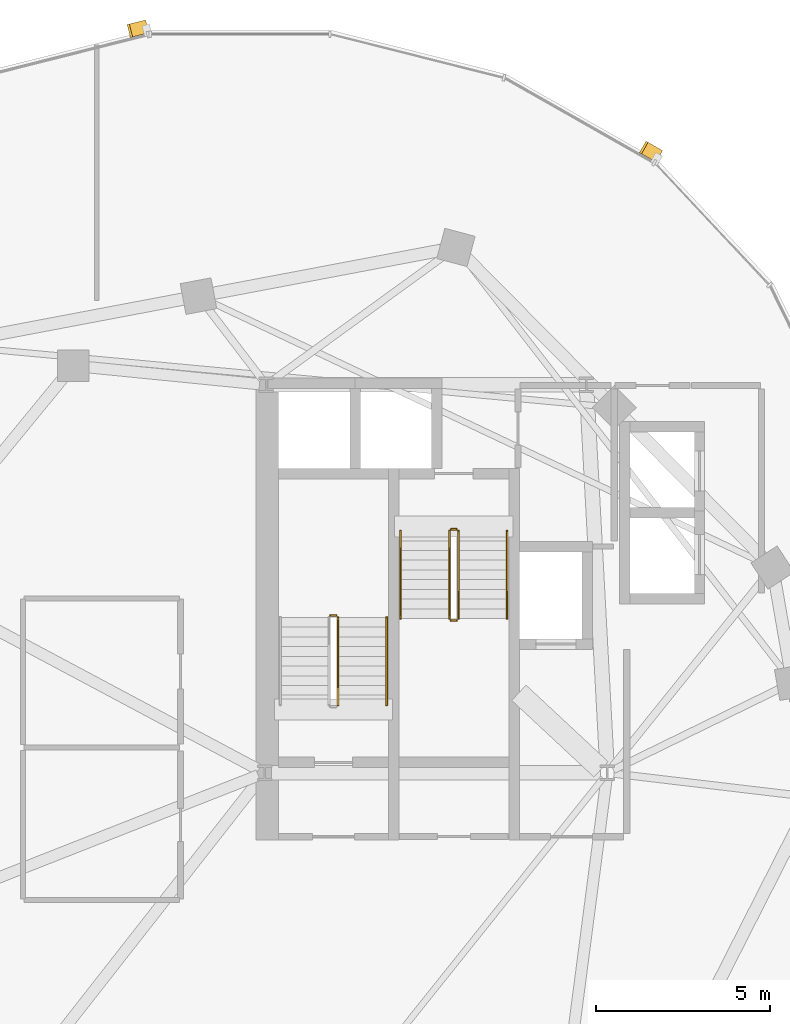
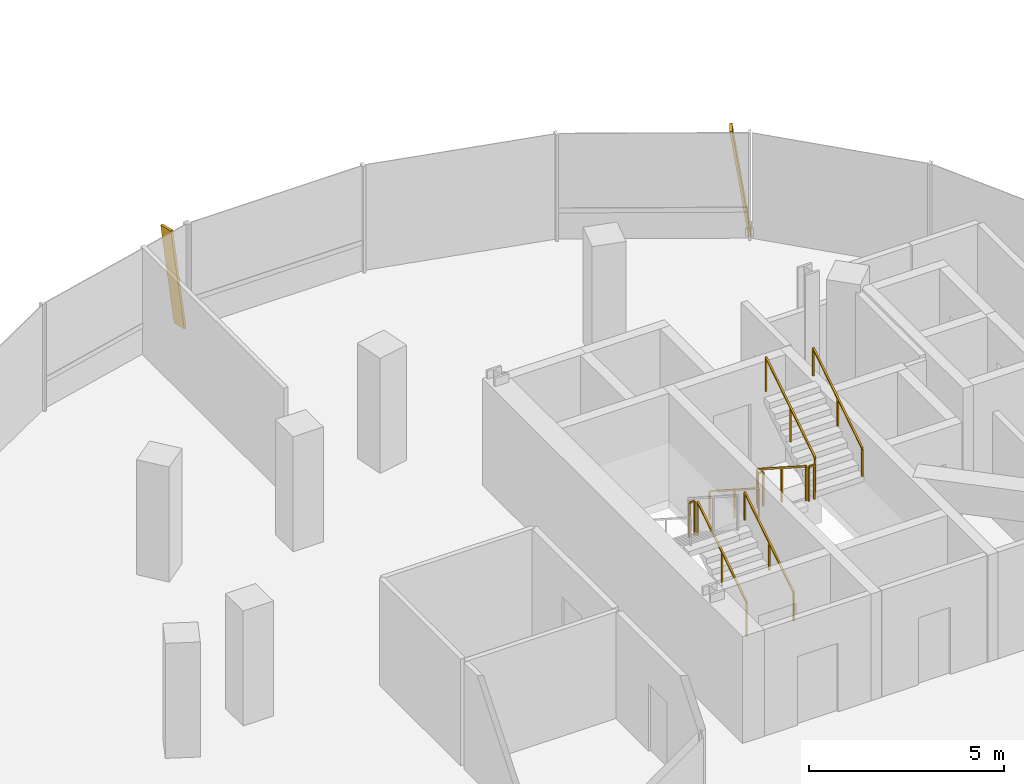
# One storey, part 22 of 24: 9 railings, 2 shading devices.
"""IFC4 building model written with IfcOpenShell, lengths in metres."""

from ifc_helpers import new_model, si_unit, direction, frame, origin, origin_2d, place, context, subcontext, project, spatial, rectangle, extrude, material, material_profile, profile_set, type_object, element, save


model = new_model("IFC4")

# Units and contexts
model_context = context("Model", 3, precision=1e-05, world=origin(), true_north=direction((0.0, 1.0)))
body_context = subcontext(model_context, "Body", "Model", "MODEL_VIEW")
ifc_project = project(units=[si_unit("LENGTHUNIT", "METRE"), si_unit("AREAUNIT", "SQUARE_METRE"), si_unit("VOLUMEUNIT", "CUBIC_METRE"), si_unit("PLANEANGLEUNIT", "RADIAN"), si_unit("MASSUNIT", "GRAM", prefix="KILO"), si_unit("THERMODYNAMICTEMPERATUREUNIT", "KELVIN"), si_unit("POWERUNIT", "WATT")], contexts=[model_context])

# Site, building, storey
site_placement = place(None, origin())
site = spatial("IfcSite", under=ifc_project, at=site_placement, CompositionType="ELEMENT")
building_placement = place(site_placement, origin())
building = spatial("IfcBuilding", under=site, at=building_placement, Name="Cundina Bronze Exchange", CompositionType="ELEMENT")
storey_placement = place(building_placement, frame((0.0, 0.0, 227.800048828125)))
storey = spatial("IfcBuildingStorey", under=building, at=storey_placement, Name="L60", CompositionType="ELEMENT", Elevation=227.800048828125)

# Railings
ifc_material_1 = material(Name="Steel ASTM A36 Painted", Category="steel")
railing_type_1 = type_object("IfcRailingType", Name="RLG-HND-900", PredefinedType="HANDRAIL", material=ifc_material_1)
railing_1_placement = place(storey_placement, frame((-27.7900390625, 5.85009765625, 0.179931640625)))
element("IfcRailing", 1, at=railing_1_placement, inside=storey, type_object=railing_type_1, Name="L60 ST-W1 stair handrail 1", PredefinedType="HANDRAIL", context=body_context, shape_type="SweptSolid", body=[
    extrude(rectangle(XDim=0.048095703125, YDim=0.048095703125, at=origin_2d()), frame((0.0, 0.0, 0.8759765625), z_axis=(0.0, 0.841162588446, 0.540782303519), x_axis=(-1.0, 0.0, 0.0)), (0.0, 0.0, 1.0), 2.995849609375),
    extrude(rectangle(XDim=0.0419921875, YDim=0.0419921875, at=origin_2d()), origin(), (0.0, 0.0, 1.0), 0.851806640625),
    extrude(rectangle(XDim=0.0419921875, YDim=0.0419921875, at=origin_2d()), frame((0.0, 1.260009765625, 0.81005859375)), (0.0, 0.0, 1.0), 0.851806640625),
    extrude(rectangle(XDim=0.0419921875, YDim=0.0419921875, at=origin_2d()), frame((0.0, 2.52001953125, 1.6201171875)), (0.0, 0.0, 1.0), 0.851806640625),
])
railing_2_placement = place(storey_placement, frame((-27.389892578125, 10.85009765625, 0.179931640625)))
element("IfcRailing", 2, at=railing_2_placement, inside=storey, type_object=railing_type_1, Name="L60 ST-W2 stair handrail 1", PredefinedType="HANDRAIL", context=body_context, shape_type="SweptSolid", body=[
    extrude(rectangle(XDim=0.048095703125, YDim=0.048095703125, at=origin_2d()), frame((0.0, 0.0, 0.8759765625), z_axis=(0.0, -0.841162588446, 0.540782303519), x_axis=(1.0, 0.0, 0.0)), (0.0, 0.0, 1.0), 2.995849609375),
    extrude(rectangle(XDim=0.0419921875, YDim=0.0419921875, at=origin_2d()), origin(), (0.0, 0.0, 1.0), 0.851806640625),
    extrude(rectangle(XDim=0.0419921875, YDim=0.0419921875, at=origin_2d()), frame((0.0, -1.260009765625, 0.81005859375)), (0.0, 0.0, 1.0), 0.851806640625),
    extrude(rectangle(XDim=0.0419921875, YDim=0.0419921875, at=origin_2d()), frame((0.0, -2.52001953125, 1.6201171875)), (0.0, 0.0, 1.0), 0.851806640625),
])
railing_3_placement = place(storey_placement, frame((-24.330078125, 8.330078125, 1.97998046875)))
element("IfcRailing", 3, at=railing_3_placement, inside=storey, type_object=railing_type_1, Name="L60 ST-W2 stair handrail 2", PredefinedType="HANDRAIL", context=body_context, shape_type="SweptSolid", body=[
    extrude(rectangle(XDim=0.048095703125, YDim=0.048095703125, at=origin_2d()), frame((0.0, 0.0, 0.8759765625), z_axis=(0.0, 0.841199657755, 0.540724639528), x_axis=(-1.0, 0.0, 0.0)), (0.0, 0.0, 1.0), 2.995849609375),
    extrude(rectangle(XDim=0.0419921875, YDim=0.0419921875, at=origin_2d()), origin(), (0.0, 0.0, 1.0), 0.851806640625),
    extrude(rectangle(XDim=0.0419921875, YDim=0.0419921875, at=origin_2d()), frame((0.0, 1.260009765625, 0.81005859375)), (0.0, 0.0, 1.0), 0.851806640625),
    extrude(rectangle(XDim=0.0419921875, YDim=0.0419921875, at=origin_2d()), frame((0.0, 2.52001953125, 1.619873046875)), (0.0, 0.0, 1.0), 0.851806640625),
])
railing_type_2 = type_object("IfcRailingType", Name="RLG-STG-1100", PredefinedType="GUARDRAIL", material=ifc_material_1)
railing_4_placement = place(storey_placement, frame((-29.18994140625, 5.85009765625, 0.179931640625)))
element("IfcRailing", 4, at=railing_4_placement, inside=storey, type_object=railing_type_2, Name="L60 ST-W1 stair guard 1", PredefinedType="GUARDRAIL", context=body_context, shape_type="SweptSolid", body=[
    extrude(rectangle(XDim=0.048095703125, YDim=0.048095703125, at=origin_2d()), frame((0.0, 0.0, 1.076171875), z_axis=(0.0, 0.841162588446, 0.540782303519), x_axis=(-1.0, 0.0, 0.0)), (0.0, 0.0, 1.0), 2.995849609375),
    extrude(rectangle(XDim=0.0419921875, YDim=0.0419921875, at=origin_2d()), origin(), (0.0, 0.0, 1.0), 1.052001953125),
    extrude(rectangle(XDim=0.0419921875, YDim=0.0419921875, at=origin_2d()), frame((0.0, 1.260009765625, 0.81005859375)), (0.0, 0.0, 1.0), 1.052001953125),
    extrude(rectangle(XDim=0.0419921875, YDim=0.0419921875, at=origin_2d()), frame((0.0, 2.52001953125, 1.6201171875)), (0.0, 0.0, 1.0), 1.052001953125),
])
railing_5_placement = place(storey_placement, frame((-29.239990234375, 8.419921875, 1.800048828125)))
element("IfcRailing", 5, at=railing_5_placement, inside=storey, type_object=railing_type_2, Name="L60 ST-W1 stair guard 2", PredefinedType="GUARDRAIL", context=body_context, shape_type="SweptSolid", body=[
    extrude(rectangle(XDim=0.048095703125, YDim=0.048095703125, at=origin_2d()), frame((0.0, 0.0, 1.076171875), z_axis=(-1.0, 0.0, 0.0), x_axis=(0.0, -1.0, 0.0)), (0.0, 0.0, 1.0), 0.159912109375),
    extrude(rectangle(XDim=0.0419921875, YDim=0.0419921875, at=origin_2d()), origin(), (0.0, 0.0, 1.0), 1.052001953125),
    extrude(rectangle(XDim=0.0419921875, YDim=0.0419921875, at=origin_2d()), frame((-0.159912109375, 0.0, 0.0)), (0.0, 0.0, 1.0), 1.052001953125),
])
railing_6_placement = place(storey_placement, frame((-25.989990234375, 10.85009765625, 0.179931640625)))
element("IfcRailing", 6, at=railing_6_placement, inside=storey, type_object=railing_type_2, Name="L60 ST-W2 stair guard 1", PredefinedType="GUARDRAIL", context=body_context, shape_type="SweptSolid", body=[
    extrude(rectangle(XDim=0.048095703125, YDim=0.048095703125, at=origin_2d()), frame((0.0, 0.0, 1.076171875), z_axis=(0.0, -0.841162588446, 0.540782303519), x_axis=(1.0, 0.0, 0.0)), (0.0, 0.0, 1.0), 2.995849609375),
    extrude(rectangle(XDim=0.0419921875, YDim=0.0419921875, at=origin_2d()), origin(), (0.0, 0.0, 1.0), 1.052001953125),
    extrude(rectangle(XDim=0.0419921875, YDim=0.0419921875, at=origin_2d()), frame((0.0, -1.260009765625, 0.81005859375)), (0.0, 0.0, 1.0), 1.052001953125),
    extrude(rectangle(XDim=0.0419921875, YDim=0.0419921875, at=origin_2d()), frame((0.0, -2.52001953125, 1.6201171875)), (0.0, 0.0, 1.0), 1.052001953125),
])
railing_7_placement = place(storey_placement, frame((-25.93994140625, 8.280029296875, 1.800048828125)))
element("IfcRailing", 7, at=railing_7_placement, inside=storey, type_object=railing_type_2, Name="L60 ST-W2 stair guard 2", PredefinedType="GUARDRAIL", context=body_context, shape_type="SweptSolid", body=[
    extrude(rectangle(XDim=0.048095703125, YDim=0.048095703125, at=origin_2d()), frame((0.0, 0.0, 1.076171875), z_axis=(1.0, 0.0, 0.0), x_axis=(0.0, 1.0, 0.0)), (0.0, 0.0, 1.0), 0.159912109375),
    extrude(rectangle(XDim=0.0419921875, YDim=0.0419921875, at=origin_2d()), origin(), (0.0, 0.0, 1.0), 1.052001953125),
    extrude(rectangle(XDim=0.0419921875, YDim=0.0419921875, at=origin_2d()), frame((0.159912109375, 0.0, 0.0)), (0.0, 0.0, 1.0), 1.052001953125),
])
railing_8_placement = place(storey_placement, frame((-25.72998046875, 8.330078125, 1.97998046875)))
element("IfcRailing", 8, at=railing_8_placement, inside=storey, type_object=railing_type_2, Name="L60 ST-W2 stair guard 3", PredefinedType="GUARDRAIL", context=body_context, shape_type="SweptSolid", body=[
    extrude(rectangle(XDim=0.048095703125, YDim=0.048095703125, at=origin_2d()), frame((0.0, 0.0, 1.076171875), z_axis=(0.0, 0.841199657755, 0.540724639528), x_axis=(-1.0, 0.0, 0.0)), (0.0, 0.0, 1.0), 2.995849609375),
    extrude(rectangle(XDim=0.0419921875, YDim=0.0419921875, at=origin_2d()), origin(), (0.0, 0.0, 1.0), 1.052001953125),
    extrude(rectangle(XDim=0.0419921875, YDim=0.0419921875, at=origin_2d()), frame((0.0, 1.260009765625, 0.81005859375)), (0.0, 0.0, 1.0), 1.052001953125),
    extrude(rectangle(XDim=0.0419921875, YDim=0.0419921875, at=origin_2d()), frame((0.0, 2.52001953125, 1.619873046875)), (0.0, 0.0, 1.0), 1.052001953125),
])
railing_9_placement = place(storey_placement, frame((-25.93994140625, 10.89990234375, 0.0)))
element("IfcRailing", 9, at=railing_9_placement, inside=storey, type_object=railing_type_2, Name="L60 ST-W2 stair guard 4", PredefinedType="GUARDRAIL", context=body_context, shape_type="SweptSolid", body=[
    extrude(rectangle(XDim=0.048095703125, YDim=0.048095703125, at=origin_2d()), frame((0.0, 0.0, 1.076171875), z_axis=(1.0, 0.0, 0.0), x_axis=(0.0, 1.0, 0.0)), (0.0, 0.0, 1.0), 0.159912109375),
    extrude(rectangle(XDim=0.0419921875, YDim=0.0419921875, at=origin_2d()), origin(), (0.0, 0.0, 1.0), 1.052001953125),
    extrude(rectangle(XDim=0.0419921875, YDim=0.0419921875, at=origin_2d()), frame((0.159912109375, 0.0, 0.0)), (0.0, 0.0, 1.0), 1.052001953125),
])

# Shading devices
ifc_material_2 = material(Name="Anodised Bronze Aluminium 6063-T6", Category="aluminium")
ifc_material_profile = material_profile(ifc_material_2, rectangle(XDim=0.070068359375, YDim=0.3798828125, at=origin_2d()), Name="FIN70X380", Category="aluminium")
ifc_profile_set = profile_set([ifc_material_profile], Name="Anodised Bronze Aluminium 6063-T6")
shading_device_type = type_object("IfcShadingDeviceType", Name="SHD-FIN-BRZ380", PredefinedType="USERDEFINED", material=ifc_profile_set)
for number, where, z_axis, x_axis, name in (
    (10, (-19.984375, 21.635498046875, 0.02001953125), (-0.125189514072, 0.071087145125, 0.989582843103), (0.860526986551, -0.488638423358, 0.143964567292), "L60 Diagonal Bronze Solar Fin 5"),
    (11, (-34.705810546875, 25.344482421875, 0.02001953125), (-0.139611891367, -0.03514090606, 0.989582556693), (0.959650042543, 0.24154799183, 0.143966536007), "L60 Diagonal Bronze Solar Fin 1"),
):
    element("IfcShadingDevice", number, at=place(storey_placement, frame(where, z_axis=z_axis, x_axis=x_axis)), inside=storey, type_object=shading_device_type, Name=name, ObjectType="FIN", PredefinedType="USERDEFINED", context=body_context, shape_type="SweptSolid", body=[
        extrude(rectangle(XDim=0.070068359375, YDim=0.3798828125, at=origin_2d()), origin(), (0.0, 0.0, 1.0), 3.334716796875),
    ])

save(model, "model.ifc")
